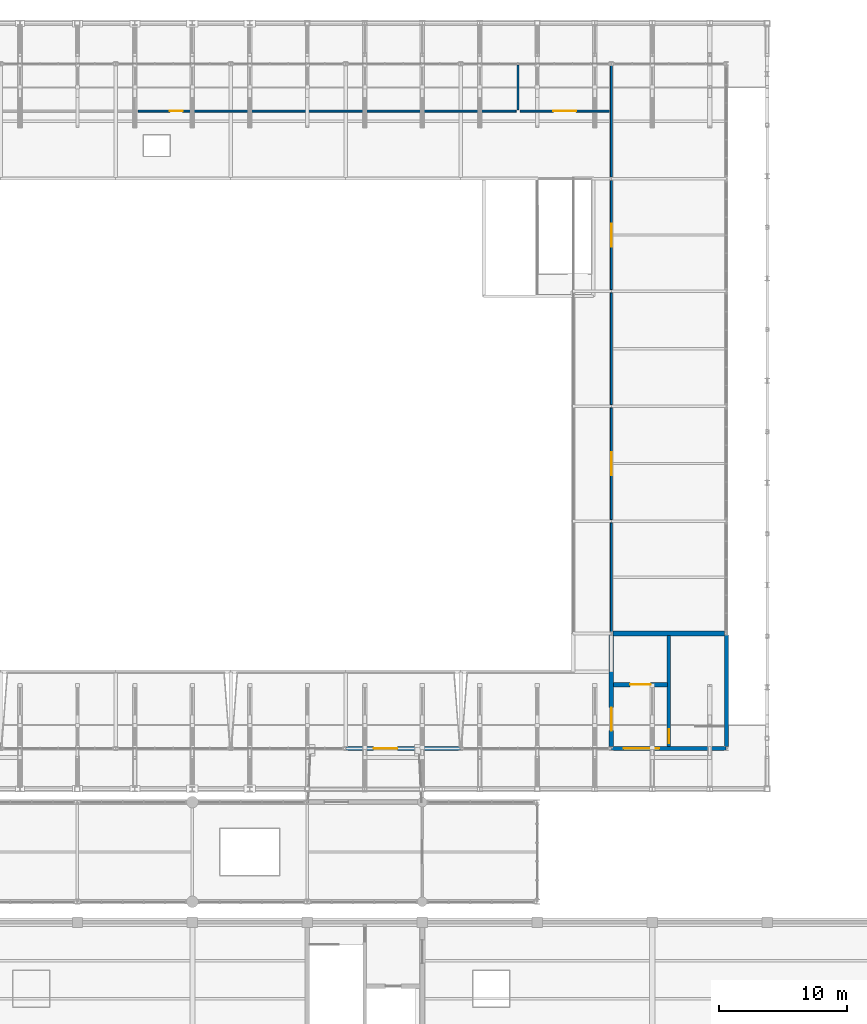
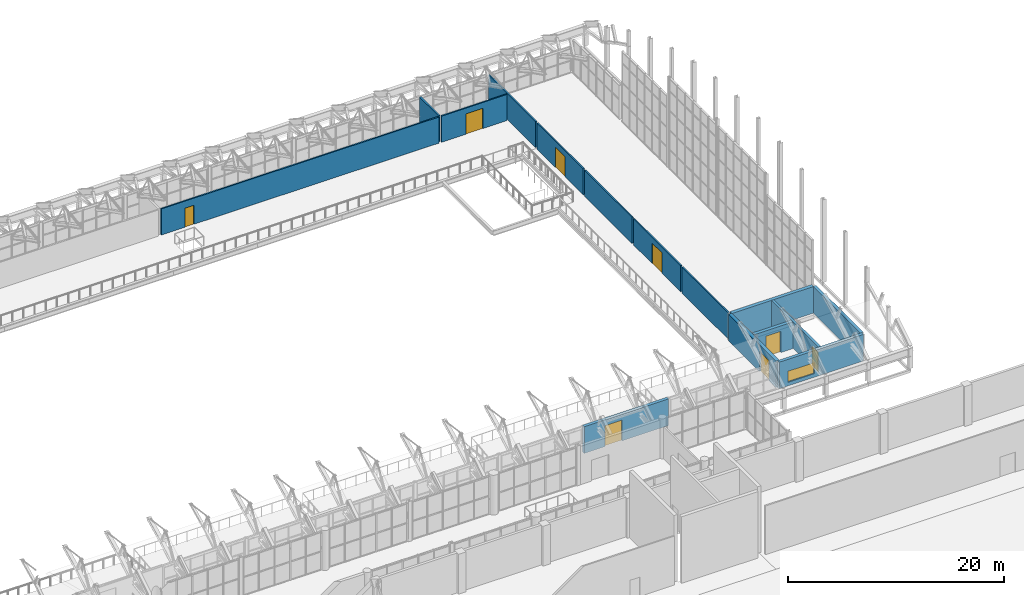
# One storey, part 117 of 134: 15 walls, 8 doors, 1 window, 9 openings.
"""IFC4 building model written with IfcOpenShell, lengths in metres."""

from ifc_helpers import new_model, si_unit, direction, frame, frame_2d, origin, place, context, subcontext, project, spatial, rectangle, extrude, material, layer, layer_set, type_object, element, fill, save


model = new_model("IFC4")

# Units and contexts
model_context = context("Model", 3, precision=1e-05, world=origin(), true_north=direction((0.0, 1.0)))
body_context = subcontext(model_context, "Body", "Model", "MODEL_VIEW")
ifc_project = project(units=[si_unit("LENGTHUNIT", "METRE"), si_unit("AREAUNIT", "SQUARE_METRE"), si_unit("VOLUMEUNIT", "CUBIC_METRE"), si_unit("PLANEANGLEUNIT", "RADIAN"), si_unit("MASSUNIT", "GRAM", prefix="KILO")], contexts=[model_context])

# Site, building, storey
site_placement = place(None, origin())
site = spatial("IfcSite", under=ifc_project, at=site_placement, CompositionType="ELEMENT")
building_placement = place(site_placement, origin())
building = spatial("IfcBuilding", under=site, at=building_placement, Name="Cazmaro Siding Exhibition Halls", CompositionType="ELEMENT")
storey_placement = place(building_placement, frame((0.0, 0.0, 12.0)))
storey = spatial("IfcBuildingStorey", under=building, at=storey_placement, Name="L02", CompositionType="ELEMENT", Elevation=12.0)

# Wall, opening, door
ifc_material_1 = material(Name="Concrete f'c 45 MPa", Category="concrete")
ifc_layer_1 = layer(ifc_material_1, 0.320068359375)
ifc_layer_set_1 = layer_set([ifc_layer_1], Name="Concrete f'c 45 MPa")
wall_type_1 = type_object("IfcWallType", Name="EW-01", PredefinedType="STANDARD", material=ifc_layer_set_1)
wall_1_placement = place(storey_placement, frame((146.988037109375, 67.199951171875, 0.0), z_axis=(0.0, 0.0, 1.0), x_axis=(-1.0, 0.0, 0.0)))
wall_1 = element("IfcWall", 1, at=wall_1_placement, inside=storey, type_object=wall_type_1, Name="Hall A Bridge Portal Wall L02 EW-01 WL-E0023", PredefinedType="STANDARD", context=body_context, shape_type="SweptSolid", body=[
    extrude(rectangle(XDim=8.97607421875, YDim=0.320068359375, at=frame_2d((4.488037109375, 0.0))), origin(), (0.0, 0.0, 1.0), 3.0),
])
opening_1_placement = place(wall_1_placement, frame((4.93798828125, 0.0, 0.0)))
opening_1 = element("IfcOpeningElement", 2, at=opening_1_placement, cuts=wall_1, Name="Opening D-E010", PredefinedType="OPENING", context=body_context, shape_type="SweptSolid", body=[
    extrude(rectangle(XDim=1.85009765625, YDim=2.35009765625, at=frame_2d((0.925048828125, 1.175048828125))), frame((0.0, 0.169921875, 0.0), z_axis=(0.0, -1.0, 0.0), x_axis=(1.0, 0.0, 0.0)), (0.0, 0.0, 1.0), 0.340087890625),
])
ifc_material_2 = material(Name="Anodized Bronze Glazed Entrance Door", Category="aluminium")
door_type_1 = type_object("IfcDoorType", Name="ED-03", OperationType="DOUBLE_DOOR_SINGLE_SWING", PredefinedType="DOOR", material=ifc_material_2)
door_1_placement = place(opening_1_placement, origin())
door_1 = element("IfcDoor", 3, at=door_1_placement, inside=storey, type_object=door_type_1, Name="Exterior door D-E010 (ED-03)", OperationType="DOUBLE_DOOR_SINGLE_SWING", OverallHeight=2.35009765625, OverallWidth=1.85009765625, PredefinedType="DOOR", context=body_context, shape_type="SweptSolid", body=[
    extrude(rectangle(XDim=1.85009765625, YDim=2.35009765625, at=frame_2d((0.925048828125, 1.175048828125))), frame((0.0, 0.02490234375, 0.0), z_axis=(0.0, -1.0, 0.0), x_axis=(1.0, 0.0, 0.0)), (0.0, 0.0, 1.0), 0.050048828125),
])
fill(opening_1, door_1)

# Wall, opening, window
wall_2_placement = place(storey_placement, frame((167.7880859375, 67.199951171875, 0.0), z_axis=(0.0, 0.0, 1.0), x_axis=(-1.0, 0.0, 0.0)))
wall_2 = element("IfcWall", 4, at=wall_2_placement, inside=storey, type_object=wall_type_1, Name="Hall A South Core Cap Wall EW-01 WL-E0028", PredefinedType="STANDARD", context=body_context, shape_type="SweptSolid", body=[
    extrude(rectangle(XDim=8.97607421875, YDim=0.320068359375, at=frame_2d((4.488037109375, 0.0))), origin(), (0.0, 0.0, 1.0), 3.0),
])
opening_2_placement = place(wall_2_placement, frame((5.22607421875, 0.0, 0.39990234375)))
opening_2 = element("IfcOpeningElement", 5, at=opening_2_placement, cuts=wall_2, Name="Opening W-016", PredefinedType="OPENING", context=body_context, shape_type="SweptSolid", body=[
    extrude(rectangle(XDim=2.800048828125, YDim=1.25, at=frame_2d((1.39990234375, 0.625))), frame((0.0, 0.169921875, 0.0), z_axis=(0.0, -1.0, 0.0), x_axis=(1.0, 0.0, 0.0)), (0.0, 0.0, 1.0), 0.340087890625),
])
ifc_material_3 = material(Name="Thermally Broken Aluminum Low-E Window Unit", Category="aluminium")
window_type = type_object("IfcWindowType", Name="WT-19", PartitioningType="SINGLE_PANEL", PredefinedType="WINDOW", material=ifc_material_3)
window_placement = place(opening_2_placement, origin())
window = element("IfcWindow", 6, at=window_placement, inside=storey, type_object=window_type, Name="Window W-016 (WT-19)", OverallHeight=1.25, OverallWidth=2.800048828125, PartitioningType="SINGLE_PANEL", PredefinedType="WINDOW", context=body_context, shape_type="SweptSolid", body=[
    extrude(rectangle(XDim=2.800048828125, YDim=1.25, at=frame_2d((1.39990234375, 0.625))), frame((0.0, 0.030029296875, 0.0), z_axis=(0.0, -1.0, 0.0), x_axis=(1.0, 0.0, 0.0)), (0.0, 0.0, 1.0), 0.06005859375),
])
fill(opening_2, window)

# Wall
wall_3_placement = place(storey_placement, frame((167.800048828125, 76.073974609375, 0.0), z_axis=(0.0, 0.0, 1.0), x_axis=(0.0, -1.0, 0.0)))
element("IfcWall", 7, at=wall_3_placement, inside=storey, type_object=wall_type_1, Name="Hall A Core End Wall L02 EW-01 WL-E0035", PredefinedType="STANDARD", context=body_context, shape_type="SweptSolid", body=[
    extrude(rectangle(XDim=8.72705078125, YDim=0.320068359375, at=frame_2d((4.363525390625, 0.0))), origin(), (0.0, 0.0, 1.0), 3.0),
])

# Wall, opening, door
ifc_material_4 = material(Name="Fire-Rated Gypsum Board on Cold-Formed Steel Studs", Category="steel")
ifc_layer_2 = layer(ifc_material_4, 0.14501953125)
ifc_layer_set_2 = layer_set([ifc_layer_2], Name="Fire-Rated Gypsum Board on Cold-Formed Steel Studs")
wall_type_2 = type_object("IfcWallType", Name="PW-01", PredefinedType="PARTITIONING", material=ifc_layer_set_2)
wall_4_placement = place(storey_placement, frame((121.75, 117.10009765625, 0.0), z_axis=(0.0, 0.0, 1.0), x_axis=(1.0, 0.0, 0.0)))
wall_4 = element("IfcWall", 8, at=wall_4_placement, inside=storey, type_object=wall_type_2, Name="Hall A North Gallery Corridor Wall L02 PW-01 WL-I0307", PredefinedType="PARTITIONING", context=body_context, shape_type="SweptSolid", body=[
    extrude(rectangle(XDim=29.60009765625, YDim=0.14501953125, at=frame_2d((14.800048828125, 0.0))), origin(), (0.0, 0.0, 1.0), 2.949951171875),
])
opening_3_placement = place(wall_4_placement, frame((2.5, 0.0, 0.0)))
opening_3 = element("IfcOpeningElement", 9, at=opening_3_placement, cuts=wall_4, Name="Opening D-I148", PredefinedType="OPENING", context=body_context, shape_type="SweptSolid", body=[
    extrude(rectangle(XDim=0.97998046875, YDim=2.14990234375, at=frame_2d((0.489990234375, 1.074951171875))), frame((0.0, 0.08251953125, 0.0), z_axis=(0.0, -1.0, 0.0), x_axis=(1.0, 0.0, 0.0)), (0.0, 0.0, 1.0), 0.1650390625),
])
ifc_material_5 = material(Name="Fire-Rated Painted Hollow Metal Door", Category="steel")
door_type_2 = type_object("IfcDoorType", Name="ID-03", OperationType="NOTDEFINED", PredefinedType="DOOR", material=ifc_material_5)
door_2_placement = place(opening_3_placement, origin())
door_2 = element("IfcDoor", 10, at=door_2_placement, inside=storey, type_object=door_type_2, Name="Interior door D-I148 (ID-03)", OperationType="SINGLE_SWING_RIGHT", OverallHeight=2.14990234375, OverallWidth=0.97998046875, PredefinedType="DOOR", context=body_context, shape_type="SweptSolid", body=[
    extrude(rectangle(XDim=0.97998046875, YDim=2.14990234375, at=frame_2d((0.489990234375, 1.074951171875))), frame((0.0, 0.02490234375, 0.0), z_axis=(0.0, -1.0, 0.0), x_axis=(1.0, 0.0, 0.0)), (0.0, 0.0, 1.0), 0.050048828125),
])
fill(opening_3, door_2)

wall_5_placement = place(storey_placement, frame((151.64990234375, 117.10009765625, 0.0), z_axis=(0.0, 0.0, 1.0), x_axis=(1.0, 0.0, 0.0)))
wall_5 = element("IfcWall", 11, at=wall_5_placement, inside=storey, type_object=wall_type_2, Name="Hall A North Gallery Corridor Wall L02 PW-01 WL-I0308", PredefinedType="PARTITIONING", context=body_context, shape_type="SweptSolid", body=[
    extrude(rectangle(XDim=7.0, YDim=0.14501953125, at=frame_2d((3.5, 0.0))), origin(), (0.0, 0.0, 1.0), 2.949951171875),
])
opening_4_placement = place(wall_5_placement, frame((2.60009765625, 0.0, 0.0)))
opening_4 = element("IfcOpeningElement", 12, at=opening_4_placement, cuts=wall_5, Name="Opening D-I149", PredefinedType="OPENING", context=body_context, shape_type="SweptSolid", body=[
    extrude(rectangle(XDim=1.800048828125, YDim=2.300048828125, at=frame_2d((0.89990234375, 1.14990234375))), frame((0.0, 0.08251953125, 0.0), z_axis=(0.0, -1.0, 0.0), x_axis=(1.0, 0.0, 0.0)), (0.0, 0.0, 1.0), 0.1650390625),
])
ifc_material_6 = material(Name="Fire-Rated Painted Hollow Metal Door", Category="steel")
door_type_3 = type_object("IfcDoorType", Name="ID-02", OperationType="DOUBLE_DOOR_SINGLE_SWING", PredefinedType="DOOR", material=ifc_material_6)
door_3_placement = place(opening_4_placement, origin())
door_3 = element("IfcDoor", 13, at=door_3_placement, inside=storey, type_object=door_type_3, Name="Interior door D-I149 (ID-02)", OperationType="DOUBLE_DOOR_SINGLE_SWING", OverallHeight=2.300048828125, OverallWidth=1.800048828125, PredefinedType="DOOR", context=body_context, shape_type="SweptSolid", body=[
    extrude(rectangle(XDim=1.800048828125, YDim=2.300048828125, at=frame_2d((0.89990234375, 1.14990234375))), frame((0.0, 0.02490234375, 0.0), z_axis=(0.0, -1.0, 0.0), x_axis=(1.0, 0.0, 0.0)), (0.0, 0.0, 1.0), 0.050048828125),
])
fill(opening_4, door_3)

# Wall
wall_6_placement = place(storey_placement, frame((158.800048828125, 76.326904296875, 0.0), z_axis=(0.0, 0.0, 1.0), x_axis=(0.0, 1.0, 0.0)))
element("IfcWall", 14, at=wall_6_placement, inside=storey, type_object=wall_type_2, Name="Hall A East Mezzanine Suite Wall L02 PW-01 WL-I0314", PredefinedType="PARTITIONING", context=body_context, shape_type="SweptSolid", body=[
    extrude(rectangle(XDim=8.546142578125, YDim=0.14501953125, at=frame_2d((4.27294921875, 0.0))), origin(), (0.0, 0.0, 1.0), 2.949951171875),
])

# Wall, opening, door
wall_7_placement = place(storey_placement, frame((158.800048828125, 85.126953125, 0.0), z_axis=(0.0, 0.0, 1.0), x_axis=(0.0, 1.0, 0.0)))
wall_7 = element("IfcWall", 15, at=wall_7_placement, inside=storey, type_object=wall_type_2, Name="Hall A East Mezzanine Suite Wall L02 PW-01 WL-I0316", PredefinedType="PARTITIONING", context=body_context, shape_type="SweptSolid", body=[
    extrude(rectangle(XDim=8.74609375, YDim=0.14501953125, at=frame_2d((4.373046875, 0.0))), origin(), (0.0, 0.0, 1.0), 2.949951171875),
])
opening_5_placement = place(wall_7_placement, frame((3.472900390625, 0.0, 0.0)))
opening_5 = element("IfcOpeningElement", 16, at=opening_5_placement, cuts=wall_7, Name="Opening D-I151", PredefinedType="OPENING", context=body_context, shape_type="SweptSolid", body=[
    extrude(rectangle(XDim=1.800048828125, YDim=2.300048828125, at=frame_2d((0.89990234375, 1.14990234375))), frame((0.0, 0.08251953125, 0.0), z_axis=(0.0, -1.0, 0.0), x_axis=(1.0, 0.0, 0.0)), (0.0, 0.0, 1.0), 0.1650390625),
])
door_4_placement = place(opening_5_placement, origin())
door_4 = element("IfcDoor", 17, at=door_4_placement, inside=storey, type_object=door_type_3, Name="Interior door D-I151 (ID-02)", OperationType="DOUBLE_DOOR_SINGLE_SWING", OverallHeight=2.300048828125, OverallWidth=1.800048828125, PredefinedType="DOOR", context=body_context, shape_type="SweptSolid", body=[
    extrude(rectangle(XDim=1.800048828125, YDim=2.300048828125, at=frame_2d((0.89990234375, 1.14990234375))), frame((0.0, 0.02490234375, 0.0), z_axis=(0.0, -1.0, 0.0), x_axis=(1.0, 0.0, 0.0)), (0.0, 0.0, 1.0), 0.050048828125),
])
fill(opening_5, door_4)

# Wall
wall_8_placement = place(storey_placement, frame((158.800048828125, 94.126953125, 0.0), z_axis=(0.0, 0.0, 1.0), x_axis=(0.0, 1.0, 0.0)))
element("IfcWall", 18, at=wall_8_placement, inside=storey, type_object=wall_type_2, Name="Hall A East Mezzanine Suite Wall L02 PW-01 WL-I0318", PredefinedType="PARTITIONING", context=body_context, shape_type="SweptSolid", body=[
    extrude(rectangle(XDim=8.74609375, YDim=0.14501953125, at=frame_2d((4.373046875, 0.0))), origin(), (0.0, 0.0, 1.0), 2.949951171875),
])

# Wall, opening, door
wall_9_placement = place(storey_placement, frame((158.800048828125, 103.126953125, 0.0), z_axis=(0.0, 0.0, 1.0), x_axis=(0.0, 1.0, 0.0)))
wall_9 = element("IfcWall", 19, at=wall_9_placement, inside=storey, type_object=wall_type_2, Name="Hall A East Mezzanine Suite Wall L02 PW-01 WL-I0320", PredefinedType="PARTITIONING", context=body_context, shape_type="SweptSolid", body=[
    extrude(rectangle(XDim=8.525146484375, YDim=0.14501953125, at=frame_2d((4.2626953125, 0.0))), origin(), (0.0, 0.0, 1.0), 2.949951171875),
])
opening_6_placement = place(wall_9_placement, frame((3.363037109375, 0.0, 0.0)))
opening_6 = element("IfcOpeningElement", 20, at=opening_6_placement, cuts=wall_9, Name="Opening D-I153", PredefinedType="OPENING", context=body_context, shape_type="SweptSolid", body=[
    extrude(rectangle(XDim=1.800048828125, YDim=2.300048828125, at=frame_2d((0.89990234375, 1.14990234375))), frame((0.0, 0.08251953125, 0.0), z_axis=(0.0, -1.0, 0.0), x_axis=(1.0, 0.0, 0.0)), (0.0, 0.0, 1.0), 0.1650390625),
])
door_5_placement = place(opening_6_placement, origin())
door_5 = element("IfcDoor", 21, at=door_5_placement, inside=storey, type_object=door_type_3, Name="Interior door D-I153 (ID-02)", OperationType="DOUBLE_DOOR_SINGLE_SWING", OverallHeight=2.300048828125, OverallWidth=1.800048828125, PredefinedType="DOOR", context=body_context, shape_type="SweptSolid", body=[
    extrude(rectangle(XDim=1.800048828125, YDim=2.300048828125, at=frame_2d((0.89990234375, 1.14990234375))), frame((0.0, 0.02490234375, 0.0), z_axis=(0.0, -1.0, 0.0), x_axis=(1.0, 0.0, 0.0)), (0.0, 0.0, 1.0), 0.050048828125),
])
fill(opening_6, door_5)

# Walls
wall_10_placement = place(storey_placement, frame((158.800048828125, 111.947998046875, 0.0), z_axis=(0.0, 0.0, 1.0), x_axis=(0.0, 1.0, 0.0)))
element("IfcWall", 22, at=wall_10_placement, inside=storey, type_object=wall_type_2, Name="Hall A East Mezzanine Suite Wall L02 PW-01 WL-I0322", PredefinedType="PARTITIONING", context=body_context, shape_type="SweptSolid", body=[
    extrude(rectangle(XDim=8.7041015625, YDim=0.14501953125, at=frame_2d((4.35205078125, 0.0))), origin(), (0.0, 0.0, 1.0), 2.949951171875),
])
ifc_material_7 = material(Name="Moisture-Resistant Gypsum Board on Acoustic Steel Studs", Category="steel")
ifc_layer_3 = layer(ifc_material_7, 0.1650390625)
ifc_layer_set_3 = layer_set([ifc_layer_3], Name="Moisture-Resistant Gypsum Board on Acoustic Steel Studs")
wall_type_3 = type_object("IfcWallType", Name="PW-02", PredefinedType="PARTITIONING", material=ifc_layer_set_3)
wall_11_placement = place(storey_placement, frame((151.5, 117.199951171875, 0.0), z_axis=(0.0, 0.0, 1.0), x_axis=(0.0, 1.0, 0.0)))
element("IfcWall", 23, at=wall_11_placement, inside=storey, type_object=wall_type_3, Name="Hall A North Room Divider L02 PW-02 WL-I0312", PredefinedType="PARTITIONING", context=body_context, shape_type="SweptSolid", body=[
    extrude(rectangle(XDim=3.52001953125, YDim=0.1650390625, at=frame_2d((1.760009765625, 0.0))), origin(), (0.0, 0.0, 1.0), 2.949951171875),
])

# Wall, opening, door
ifc_material_8 = material(Name="Concrete f'c 50 MPa", Category="concrete")
ifc_layer_4 = layer(ifc_material_8, 0.360107421875)
ifc_layer_set_4 = layer_set([ifc_layer_4], Name="Concrete f'c 50 MPa")
wall_type_4 = type_object("IfcWallType", Name="SW-01", PredefinedType="SHEAR", material=ifc_layer_set_4)
wall_12_placement = place(storey_placement, frame((158.800048828125, 67.347900390625, 0.0), z_axis=(0.0, 0.0, 1.0), x_axis=(0.0, 1.0, 0.0)))
wall_12 = element("IfcWall", 24, at=wall_12_placement, inside=storey, type_object=wall_type_4, Name="Core C2 West Shear Wall SW-01 WL-I0021", PredefinedType="SHEAR", context=body_context, shape_type="SweptSolid", body=[
    extrude(rectangle(XDim=8.72509765625, YDim=0.360107421875, at=frame_2d((4.362548828125, 0.0))), origin(), (0.0, 0.0, 1.0), 3.0),
])
opening_7_placement = place(wall_12_placement, frame((1.251953125, 0.0, 0.0)))
opening_7 = element("IfcOpeningElement", 25, at=opening_7_placement, cuts=wall_12, Name="Opening D-I012", PredefinedType="OPENING", context=body_context, shape_type="SweptSolid", body=[
    extrude(rectangle(XDim=1.800048828125, YDim=2.300048828125, at=frame_2d((0.89990234375, 1.14990234375))), frame((0.0, 0.18994140625, 0.0), z_axis=(0.0, -1.0, 0.0), x_axis=(1.0, 0.0, 0.0)), (0.0, 0.0, 1.0), 0.380126953125),
])
door_6_placement = place(opening_7_placement, origin())
door_6 = element("IfcDoor", 26, at=door_6_placement, inside=storey, type_object=door_type_3, Name="Interior door D-I012 (ID-02)", OperationType="DOUBLE_DOOR_SINGLE_SWING", OverallHeight=2.300048828125, OverallWidth=1.800048828125, PredefinedType="DOOR", context=body_context, shape_type="SweptSolid", body=[
    extrude(rectangle(XDim=1.800048828125, YDim=2.300048828125, at=frame_2d((0.89990234375, 1.14990234375))), frame((0.0, 0.02490234375, 0.0), z_axis=(0.0, -1.0, 0.0), x_axis=(1.0, 0.0, 0.0)), (0.0, 0.0, 1.0), 0.050048828125),
])
fill(opening_7, door_6)

# Wall
wall_13_placement = place(storey_placement, frame((158.924072265625, 76.199951171875, 0.0), z_axis=(0.0, 0.0, 1.0), x_axis=(1.0, 0.0, 0.0)))
element("IfcWall", 27, at=wall_13_placement, inside=storey, type_object=wall_type_4, Name="Core C2 North Shear Wall SW-01 WL-I0022", PredefinedType="SHEAR", context=body_context, shape_type="SweptSolid", body=[
    extrude(rectangle(XDim=8.751953125, YDim=0.360107421875, at=frame_2d((4.3759765625, 0.0))), origin(), (0.0, 0.0, 1.0), 3.0),
])

# Wall, opening, door
wall_14_placement = place(storey_placement, frame((158.965087890625, 72.199951171875, 0.0), z_axis=(0.0, 0.0, 1.0), x_axis=(1.0, 0.0, 0.0)))
wall_14 = element("IfcWall", 28, at=wall_14_placement, inside=storey, type_object=wall_type_4, Name="Core C2 Lift Shaft Wall SW-01 WL-I0024", PredefinedType="SHEAR", context=body_context, shape_type="SweptSolid", body=[
    extrude(rectangle(XDim=4.219970703125, YDim=0.360107421875, at=frame_2d((2.10986328125, 0.0))), origin(), (0.0, 0.0, 1.0), 3.0),
])
opening_8_placement = place(wall_14_placement, frame((1.31005859375, 0.0, 0.0)))
opening_8 = element("IfcOpeningElement", 29, at=opening_8_placement, cuts=wall_14, Name="Opening LD-006", PredefinedType="OPENING", context=body_context, shape_type="SweptSolid", body=[
    extrude(rectangle(XDim=1.60009765625, YDim=2.39990234375, at=frame_2d((0.800048828125, 1.199951171875))), frame((0.0, 0.18994140625, 0.0), z_axis=(0.0, -1.0, 0.0), x_axis=(1.0, 0.0, 0.0)), (0.0, 0.0, 1.0), 0.380126953125),
])
ifc_material_9 = material(Name="Stainless Steel Elevator Landing Door", Category="steel")
door_type_4 = type_object("IfcDoorType", Name="LD-02", OperationType="DOUBLE_DOOR_SLIDING", PredefinedType="DOOR", material=ifc_material_9)
door_7_placement = place(opening_8_placement, origin())
door_7 = element("IfcDoor", 30, at=door_7_placement, inside=storey, type_object=door_type_4, Name="Interior door LD-006 (LD-02)", OperationType="DOUBLE_DOOR_SLIDING", OverallHeight=2.39990234375, OverallWidth=1.60009765625, PredefinedType="DOOR", context=body_context, shape_type="SweptSolid", body=[
    extrude(rectangle(XDim=1.60009765625, YDim=2.39990234375, at=frame_2d((0.800048828125, 1.199951171875))), frame((0.0, 0.02490234375, 0.0), z_axis=(0.0, -1.0, 0.0), x_axis=(1.0, 0.0, 0.0)), (0.0, 0.0, 1.0), 0.050048828125),
])
fill(opening_8, door_7)

ifc_material_10 = material(Name="Concrete f'c 50 MPa", Category="concrete")
ifc_layer_5 = layer(ifc_material_10, 0.25)
ifc_layer_set_5 = layer_set([ifc_layer_5], Name="Concrete f'c 50 MPa")
wall_type_5 = type_object("IfcWallType", Name="SW-02", PredefinedType="SHEAR", material=ifc_layer_set_5)
wall_15_placement = place(storey_placement, frame((163.300048828125, 76.034912109375, 0.0), z_axis=(0.0, 0.0, 1.0), x_axis=(0.0, -1.0, 0.0)))
wall_15 = element("IfcWall", 31, at=wall_15_placement, inside=storey, type_object=wall_type_5, Name="Core C2 Stair-Lobby Divider SW-02 WL-I0023", PredefinedType="SHEAR", context=body_context, shape_type="SweptSolid", body=[
    extrude(rectangle(XDim=8.669921875, YDim=0.25, at=frame_2d((4.3349609375, 0.0))), origin(), (0.0, 0.0, 1.0), 3.0),
])
opening_9_placement = place(wall_15_placement, frame((7.320068359375, 0.0, 0.0)))
opening_9 = element("IfcOpeningElement", 32, at=opening_9_placement, cuts=wall_15, Name="Opening D-I011", PredefinedType="OPENING", context=body_context, shape_type="SweptSolid", body=[
    extrude(rectangle(XDim=1.10009765625, YDim=2.199951171875, at=frame_2d((0.550048828125, 1.10009765625))), frame((0.0, 0.135009765625, 0.0), z_axis=(0.0, -1.0, 0.0), x_axis=(1.0, 0.0, 0.0)), (0.0, 0.0, 1.0), 0.27001953125),
])
ifc_material_11 = material(Name="Fire-Rated Painted Hollow Metal Door", Category="steel")
door_type_5 = type_object("IfcDoorType", Name="ID-01", OperationType="NOTDEFINED", PredefinedType="DOOR", material=ifc_material_11)
door_8_placement = place(opening_9_placement, origin())
door_8 = element("IfcDoor", 33, at=door_8_placement, inside=storey, type_object=door_type_5, Name="Interior door D-I011 (ID-01)", OperationType="SINGLE_SWING_LEFT", OverallHeight=2.199951171875, OverallWidth=1.10009765625, PredefinedType="DOOR", context=body_context, shape_type="SweptSolid", body=[
    extrude(rectangle(XDim=1.10009765625, YDim=2.199951171875, at=frame_2d((0.550048828125, 1.10009765625))), frame((0.0, 0.02490234375, 0.0), z_axis=(0.0, -1.0, 0.0), x_axis=(1.0, 0.0, 0.0)), (0.0, 0.0, 1.0), 0.050048828125),
])
fill(opening_9, door_8)

save(model, "model.ifc")
